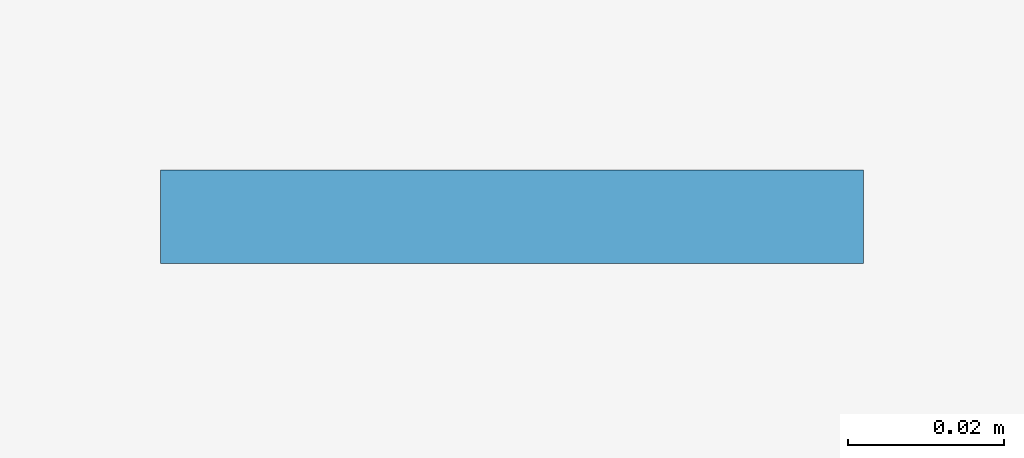
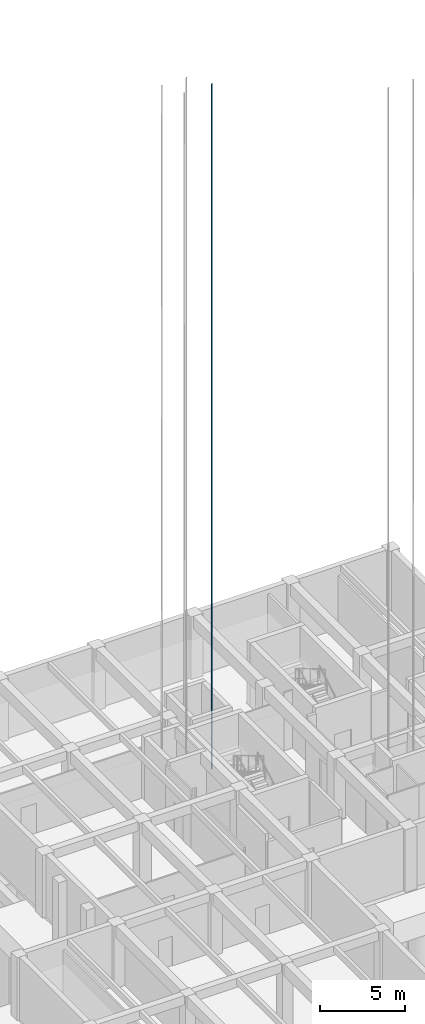
# One storey, part 28 of 44: 1 plate.
"""IFC4 building model written with IfcOpenShell, lengths in metres."""

from ifc_helpers import new_model, si_unit, direction, frame, origin, origin_2d, place, context, subcontext, project, spatial, rectangle, extrude, material, layer, layer_set, type_object, element, save


model = new_model("IFC4")

# Units and contexts
model_context = context("Model", 3, precision=1e-05, world=origin(), true_north=direction((0.0, 1.0)))
body_context = subcontext(model_context, "Body", "Model", "MODEL_VIEW")
ifc_project = project(units=[si_unit("LENGTHUNIT", "METRE"), si_unit("AREAUNIT", "SQUARE_METRE"), si_unit("VOLUMEUNIT", "CUBIC_METRE"), si_unit("PLANEANGLEUNIT", "RADIAN"), si_unit("MASSUNIT", "GRAM", prefix="KILO")], contexts=[model_context])

# Site, building, storey
site_placement = place(None, origin())
site = spatial("IfcSite", under=ifc_project, at=site_placement, CompositionType="ELEMENT")
building_placement = place(site_placement, origin())
building = spatial("IfcBuilding", under=site, at=building_placement, Name="Kolvaren Faculty of Natural Sciences", CompositionType="ELEMENT")
storey_placement = place(building_placement, frame((0.0, 0.0, -4.5)))
storey = spatial("IfcBuildingStorey", under=building, at=storey_placement, Name="B01", CompositionType="ELEMENT", Elevation=-4.5)

# Plate
ifc_material = material(Name="Structural steel EN 10025-2 S355J2", Category="steel")
ifc_layer = layer(ifc_material, 0.011962890625)
ifc_layer_set = layer_set([ifc_layer], Name="Structural steel EN 10025-2 S355J2")
plate_type = type_object("IfcPlateType", Name="LiftGuideRail_T89", PredefinedType="USERDEFINED", material=ifc_layer_set)
plate_placement = place(storey_placement, frame((155.2900390625, 76.300048828125, -0.81982421875), z_axis=(0.0, 0.0, 1.0), x_axis=(1.0, 0.0, 0.0)))
element("IfcPlate", 1, at=plate_placement, inside=storey, type_object=plate_type, Name="Lift GL-2 steel guide rail 2", ObjectType="GUIDE RAIL", PredefinedType="USERDEFINED", context=body_context, shape_type="SweptSolid", body=[
    extrude(rectangle(XDim=0.090087890625, YDim=0.011962890625, at=origin_2d()), origin(), (0.0, 0.0, 1.0), 49.219970703125),
])

save(model, "model.ifc")
